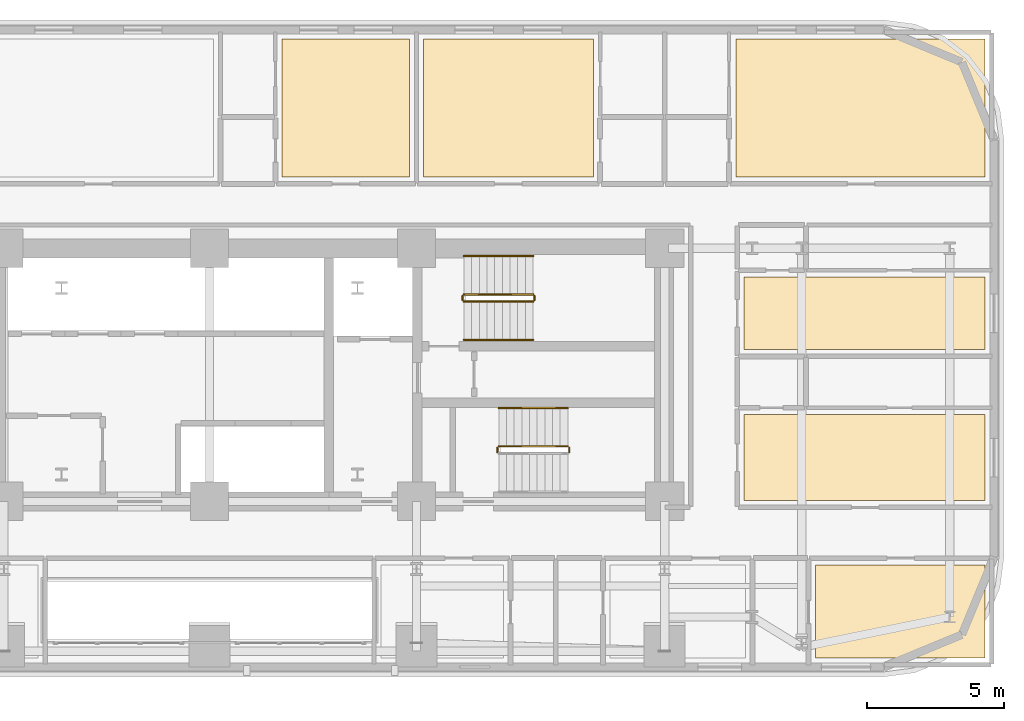
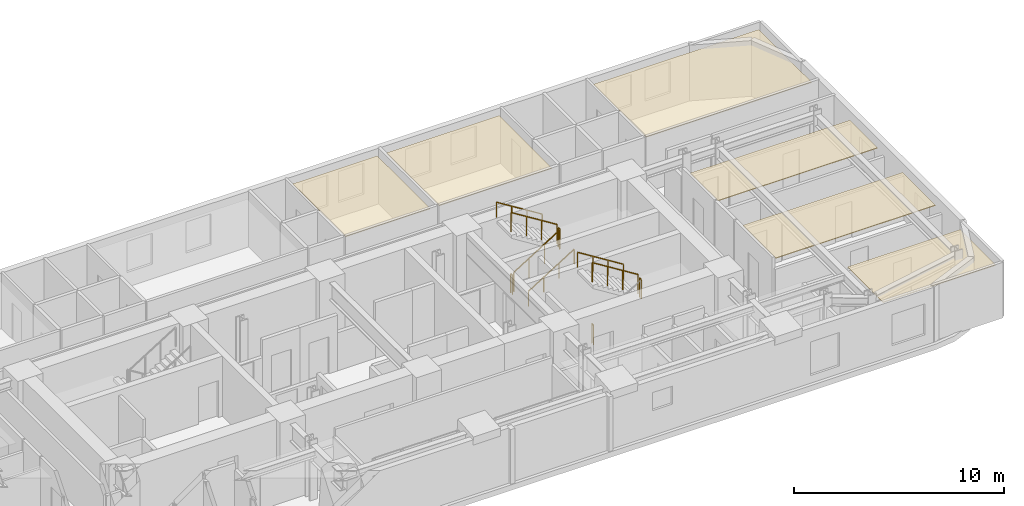
# One storey, part 16 of 16: 10 railings, 6 coverings.
"""IFC4 building model written with IfcOpenShell, lengths in metres."""

from ifc_helpers import new_model, si_unit, direction, frame, origin, origin_2d, place, context, subcontext, project, spatial, polyline, rectangle, outline, extrude, material, layer, layer_set, type_object, element, save


model = new_model("IFC4")

# Units and contexts
model_context = context("Model", 3, precision=1e-05, world=origin(), true_north=direction((0.0, 1.0)))
body_context = subcontext(model_context, "Body", "Model", "MODEL_VIEW")
ifc_project = project(units=[si_unit("LENGTHUNIT", "METRE"), si_unit("AREAUNIT", "SQUARE_METRE"), si_unit("VOLUMEUNIT", "CUBIC_METRE"), si_unit("PLANEANGLEUNIT", "RADIAN"), si_unit("MASSUNIT", "GRAM", prefix="KILO")], contexts=[model_context])

# Site, building, storey
site_placement = place(None, origin())
site = spatial("IfcSite", under=ifc_project, at=site_placement, CompositionType="ELEMENT")
building_placement = place(site_placement, origin())
building = spatial("IfcBuilding", under=site, at=building_placement, Name="Zarnavel Station Tower", CompositionType="ELEMENT")
storey_placement = place(building_placement, frame((0.0, 0.0, 39.5)))
storey = spatial("IfcBuildingStorey", under=building, at=storey_placement, Name="L10", CompositionType="ELEMENT", Elevation=39.5)

# Coverings
ifc_material_1 = material(Name="Perforated Gypsum and Mineral-Wool Acoustic Ceiling", Category="concrete")
ifc_layer = layer(ifc_material_1, 0.0400390625)
ifc_layer_set = layer_set([ifc_layer], Name="COV_CEIL_ACOUSTIC")
covering_type = type_object("IfcCoveringType", Name="COV_CEIL_ACOUSTIC", PredefinedType="CEILING", material=ifc_layer_set)
covering_1_placement = place(storey_placement, frame((0.0, 0.0, 2.919921875)))
element("IfcCovering", 1, at=covering_1_placement, inside=storey, type_object=covering_type, Name="L10 FNE1R Acoustic Ceiling", PredefinedType="CEILING", context=body_context, shape_type="SweptSolid", body=[
    extrude(outline(polyline([(48.300048828125, 27.85009765625), (57.090087890625, 27.85009765625), (57.090087890625, 30.986083984375), (48.300048828125, 30.986083984375), (48.300048828125, 27.85009765625)])), origin(), (0.0, 0.0, 1.0), 0.0400390625),
])
covering_2_placement = place(storey_placement, frame((0.0, 0.0, 2.919921875)))
element("IfcCovering", 2, at=covering_2_placement, inside=storey, type_object=covering_type, Name="L10 FNE2R Acoustic Ceiling", PredefinedType="CEILING", context=body_context, shape_type="SweptSolid", body=[
    extrude(outline(polyline([(48.300048828125, 33.35888671875), (57.090087890625, 33.35888671875), (57.090087890625, 36.0), (48.300048828125, 36.0), (48.300048828125, 33.35888671875)])), origin(), (0.0, 0.0, 1.0), 0.0400390625),
])
covering_3_placement = place(storey_placement, frame((0.0, 0.0, 2.919921875)))
element("IfcCovering", 3, at=covering_3_placement, inside=storey, type_object=covering_type, Name="L10 HN3R Acoustic Ceiling", PredefinedType="CEILING", context=body_context, shape_type="SweptSolid", body=[
    extrude(outline(polyline([(31.450927734375, 39.64990234375), (36.10009765625, 39.64990234375), (36.10009765625, 44.68994140625), (31.450927734375, 44.68994140625), (31.450927734375, 39.64990234375)])), origin(), (0.0, 0.0, 1.0), 0.0400390625),
])
covering_4_placement = place(storey_placement, frame((0.0, 0.0, 2.919921875)))
element("IfcCovering", 4, at=covering_4_placement, inside=storey, type_object=covering_type, Name="L10 HN4R Acoustic Ceiling", PredefinedType="CEILING", context=body_context, shape_type="SweptSolid", body=[
    extrude(outline(polyline([(36.60009765625, 39.64990234375), (42.800048828125, 39.64990234375), (42.800048828125, 44.68994140625), (36.60009765625, 44.68994140625), (36.60009765625, 39.64990234375)])), origin(), (0.0, 0.0, 1.0), 0.0400390625),
])
covering_5_placement = place(storey_placement, frame((0.0, 0.0, 2.919921875)))
element("IfcCovering", 5, at=covering_5_placement, inside=storey, type_object=covering_type, Name="L10 HN5R Acoustic Ceiling", PredefinedType="CEILING", context=body_context, shape_type="SweptSolid", body=[
    extrude(outline(polyline([(48.0, 39.64990234375), (57.090087890625, 39.64990234375), (57.090087890625, 44.68994140625), (48.0, 44.68994140625), (48.0, 39.64990234375)])), origin(), (0.0, 0.0, 1.0), 0.0400390625),
])
covering_6_placement = place(storey_placement, frame((0.0, 0.0, 2.919921875)))
element("IfcCovering", 6, at=covering_6_placement, inside=storey, type_object=covering_type, Name="L10 HE3R Acoustic Ceiling", PredefinedType="CEILING", context=body_context, shape_type="SweptSolid", body=[
    extrude(outline(polyline([(50.89990234375, 22.110107421875), (57.090087890625, 22.110107421875), (57.090087890625, 25.5), (50.89990234375, 25.5), (50.89990234375, 22.110107421875)])), origin(), (0.0, 0.0, 1.0), 0.0400390625),
])

# Railings
ifc_material_2 = material(Name="Painted Steel S355J2 Balustrade", Category="steel")
railing_type_1 = type_object("IfcRailingType", Name="GR_INT_1150", PredefinedType="GUARDRAIL", material=ifc_material_2)
railing_1_placement = place(storey_placement, frame((38.080078125, 35.110107421875, 0.175048828125)))
element("IfcRailing", 7, at=railing_1_placement, inside=storey, type_object=railing_type_1, Name="L10 ST2 stair guard 1", PredefinedType="GUARDRAIL", context=body_context, shape_type="SweptSolid", body=[
    extrude(rectangle(XDim=0.048095703125, YDim=0.048095703125, at=origin_2d()), frame((0.001708984375, 0.0, 1.126953125), z_axis=(0.848007534815, 0.0, 0.529984170421), x_axis=(0.0, 1.0, 0.0)), (0.0, 0.0, 1.0), 2.9677734375),
    extrude(rectangle(XDim=0.0419921875, YDim=0.0419921875, at=origin_2d()), origin(), (0.0, 0.0, 1.0), 1.101806640625),
    extrude(rectangle(XDim=0.0419921875, YDim=0.0419921875, at=origin_2d()), frame((0.840087890625, 0.0, 0.52490234375)), (0.0, 0.0, 1.0), 1.101806640625),
    extrude(rectangle(XDim=0.0419921875, YDim=0.0419921875, at=origin_2d()), frame((1.679931640625, 0.0, 1.050048828125)), (0.0, 0.0, 1.0), 1.101806640625),
    extrude(rectangle(XDim=0.0419921875, YDim=0.0419921875, at=origin_2d()), frame((2.52001953125, 0.0, 1.574951171875)), (0.0, 0.0, 1.0), 1.101806640625),
])
railing_2_placement = place(storey_placement, frame((40.64990234375, 35.159912109375, 1.75)))
element("IfcRailing", 8, at=railing_2_placement, inside=storey, type_object=railing_type_1, Name="L10 ST2 stair guard 2", PredefinedType="GUARDRAIL", context=body_context, shape_type="SweptSolid", body=[
    extrude(rectangle(XDim=0.048095703125, YDim=0.048095703125, at=origin_2d()), frame((0.0, 0.001953125, 1.1259765625), z_axis=(0.0, 1.0, 0.0), x_axis=(-1.0, 0.0, 0.0)), (0.0, 0.0, 1.0), 0.15625),
    extrude(rectangle(XDim=0.0419921875, YDim=0.0419921875, at=origin_2d()), origin(), (0.0, 0.0, 1.0), 1.101806640625),
    extrude(rectangle(XDim=0.0419921875, YDim=0.0419921875, at=origin_2d()), frame((0.0, 0.16015625, 0.0)), (0.0, 0.0, 1.0), 1.101806640625),
])
railing_3_placement = place(storey_placement, frame((40.60009765625, 35.3701171875, 1.925048828125)))
element("IfcRailing", 9, at=railing_3_placement, inside=storey, type_object=railing_type_1, Name="L10 ST2 stair guard 3", PredefinedType="GUARDRAIL", context=body_context, shape_type="SweptSolid", body=[
    extrude(rectangle(XDim=0.048095703125, YDim=0.048095703125, at=origin_2d()), frame((-0.001708984375, 0.0, 1.126953125), z_axis=(-0.848007534815, 0.0, 0.529984170421), x_axis=(0.0, -1.0, 0.0)), (0.0, 0.0, 1.0), 2.9677734375),
    extrude(rectangle(XDim=0.0419921875, YDim=0.0419921875, at=origin_2d()), origin(), (0.0, 0.0, 1.0), 1.101806640625),
    extrude(rectangle(XDim=0.0419921875, YDim=0.0419921875, at=origin_2d()), frame((-0.840087890625, 0.0, 0.52490234375)), (0.0, 0.0, 1.0), 1.101806640625),
    extrude(rectangle(XDim=0.0419921875, YDim=0.0419921875, at=origin_2d()), frame((-1.679931640625, 0.0, 1.050048828125)), (0.0, 0.0, 1.0), 1.101806640625),
    extrude(rectangle(XDim=0.0419921875, YDim=0.0419921875, at=origin_2d()), frame((-2.52001953125, 0.0, 1.574951171875)), (0.0, 0.0, 1.0), 1.101806640625),
])
railing_4_placement = place(storey_placement, frame((38.030029296875, 35.159912109375, 0.0)))
element("IfcRailing", 10, at=railing_4_placement, inside=storey, type_object=railing_type_1, Name="L10 ST2 stair guard 4", PredefinedType="GUARDRAIL", context=body_context, shape_type="SweptSolid", body=[
    extrude(rectangle(XDim=0.048095703125, YDim=0.048095703125, at=origin_2d()), frame((0.0, 0.001953125, 1.1259765625), z_axis=(0.0, 1.0, 0.0), x_axis=(-1.0, 0.0, 0.0)), (0.0, 0.0, 1.0), 0.15625),
    extrude(rectangle(XDim=0.0419921875, YDim=0.0419921875, at=origin_2d()), origin(), (0.0, 0.0, 1.0), 1.101806640625),
    extrude(rectangle(XDim=0.0419921875, YDim=0.0419921875, at=origin_2d()), frame((0.0, 0.16015625, 0.0)), (0.0, 0.0, 1.0), 1.101806640625),
])
railing_5_placement = place(storey_placement, frame((41.919921875, 29.6201171875, 1.75)))
element("IfcRailing", 11, at=railing_5_placement, inside=storey, type_object=railing_type_1, Name="L10 ST3 stair guard 2", PredefinedType="GUARDRAIL", context=body_context, shape_type="SweptSolid", body=[
    extrude(rectangle(XDim=0.048095703125, YDim=0.048095703125, at=origin_2d()), frame((0.0, 0.001953125, 1.1259765625), z_axis=(0.0, 1.0, 0.0), x_axis=(-1.0, 0.0, 0.0)), (0.0, 0.0, 1.0), 0.156005859375),
    extrude(rectangle(XDim=0.0419921875, YDim=0.0419921875, at=origin_2d()), origin(), (0.0, 0.0, 1.0), 1.101806640625),
    extrude(rectangle(XDim=0.0419921875, YDim=0.0419921875, at=origin_2d()), frame((0.0, 0.159912109375, 0.0)), (0.0, 0.0, 1.0), 1.101806640625),
])
railing_6_placement = place(storey_placement, frame((41.8701171875, 29.830078125, 1.925048828125)))
element("IfcRailing", 12, at=railing_6_placement, inside=storey, type_object=railing_type_1, Name="L10 ST3 stair guard 3", PredefinedType="GUARDRAIL", context=body_context, shape_type="SweptSolid", body=[
    extrude(rectangle(XDim=0.048095703125, YDim=0.048095703125, at=origin_2d()), frame((-0.001708984375, 0.0, 1.126953125), z_axis=(-0.848007534815, 0.0, 0.529984170421), x_axis=(0.0, -1.0, 0.0)), (0.0, 0.0, 1.0), 2.9677734375),
    extrude(rectangle(XDim=0.0419921875, YDim=0.0419921875, at=origin_2d()), origin(), (0.0, 0.0, 1.0), 1.101806640625),
    extrude(rectangle(XDim=0.0419921875, YDim=0.0419921875, at=origin_2d()), frame((-0.840087890625, 0.0, 0.52490234375)), (0.0, 0.0, 1.0), 1.101806640625),
    extrude(rectangle(XDim=0.0419921875, YDim=0.0419921875, at=origin_2d()), frame((-1.679931640625, 0.0, 1.050048828125)), (0.0, 0.0, 1.0), 1.101806640625),
    extrude(rectangle(XDim=0.0419921875, YDim=0.0419921875, at=origin_2d()), frame((-2.52001953125, 0.0, 1.574951171875)), (0.0, 0.0, 1.0), 1.101806640625),
])
railing_7_placement = place(storey_placement, frame((39.300048828125, 29.6201171875, 0.0)))
element("IfcRailing", 13, at=railing_7_placement, inside=storey, type_object=railing_type_1, Name="L10 ST3 stair guard 4", PredefinedType="GUARDRAIL", context=body_context, shape_type="SweptSolid", body=[
    extrude(rectangle(XDim=0.048095703125, YDim=0.048095703125, at=origin_2d()), frame((0.0, 0.001953125, 1.1259765625), z_axis=(0.0, 1.0, 0.0), x_axis=(-1.0, 0.0, 0.0)), (0.0, 0.0, 1.0), 0.156005859375),
    extrude(rectangle(XDim=0.0419921875, YDim=0.0419921875, at=origin_2d()), origin(), (0.0, 0.0, 1.0), 1.101806640625),
    extrude(rectangle(XDim=0.0419921875, YDim=0.0419921875, at=origin_2d()), frame((0.0, 0.159912109375, 0.0)), (0.0, 0.0, 1.0), 1.101806640625),
])
ifc_material_3 = material(Name="Brushed Stainless Steel S355J2 Handrail", Category="steel")
railing_type_2 = type_object("IfcRailingType", Name="HR_STAIR_900", PredefinedType="HANDRAIL", material=ifc_material_3)
railing_8_placement = place(storey_placement, frame((38.080078125, 33.7099609375, 0.175048828125)))
element("IfcRailing", 14, at=railing_8_placement, inside=storey, type_object=railing_type_2, Name="L10 ST2 stair handrail 1", PredefinedType="HANDRAIL", context=body_context, shape_type="SweptSolid", body=[
    extrude(rectangle(XDim=0.048095703125, YDim=0.048095703125, at=origin_2d()), frame((0.001708984375, 0.0, 0.876953125), z_axis=(0.848007534815, 0.0, 0.529984170421), x_axis=(0.0, 1.0, 0.0)), (0.0, 0.0, 1.0), 2.9677734375),
    extrude(rectangle(XDim=0.0419921875, YDim=0.0419921875, at=origin_2d()), origin(), (0.0, 0.0, 1.0), 0.851806640625),
    extrude(rectangle(XDim=0.0419921875, YDim=0.0419921875, at=origin_2d()), frame((0.840087890625, 0.0, 0.52490234375)), (0.0, 0.0, 1.0), 0.851806640625),
    extrude(rectangle(XDim=0.0419921875, YDim=0.0419921875, at=origin_2d()), frame((1.679931640625, 0.0, 1.050048828125)), (0.0, 0.0, 1.0), 0.851806640625),
    extrude(rectangle(XDim=0.0419921875, YDim=0.0419921875, at=origin_2d()), frame((2.52001953125, 0.0, 1.574951171875)), (0.0, 0.0, 1.0), 0.851806640625),
])
for number, where, name in (
    (15, (40.60009765625, 36.77001953125, 1.925048828125), "L10 ST2 stair handrail 2"),
    (16, (41.8701171875, 31.22998046875, 1.925048828125), "L10 ST3 stair handrail 2"),
):
    element("IfcRailing", number, at=place(storey_placement, frame(where)), inside=storey, type_object=railing_type_2, Name=name, PredefinedType="HANDRAIL", context=body_context, shape_type="SweptSolid", body=[
        extrude(rectangle(XDim=0.048095703125, YDim=0.048095703125, at=origin_2d()), frame((-0.001708984375, 0.0, 0.876953125), z_axis=(-0.848007534815, 0.0, 0.529984170421), x_axis=(0.0, -1.0, 0.0)), (0.0, 0.0, 1.0), 2.9677734375),
        extrude(rectangle(XDim=0.0419921875, YDim=0.0419921875, at=origin_2d()), origin(), (0.0, 0.0, 1.0), 0.851806640625),
        extrude(rectangle(XDim=0.0419921875, YDim=0.0419921875, at=origin_2d()), frame((-0.840087890625, 0.0, 0.52490234375)), (0.0, 0.0, 1.0), 0.851806640625),
        extrude(rectangle(XDim=0.0419921875, YDim=0.0419921875, at=origin_2d()), frame((-1.679931640625, 0.0, 1.050048828125)), (0.0, 0.0, 1.0), 0.851806640625),
        extrude(rectangle(XDim=0.0419921875, YDim=0.0419921875, at=origin_2d()), frame((-2.52001953125, 0.0, 1.574951171875)), (0.0, 0.0, 1.0), 0.851806640625),
    ])

save(model, "model.ifc")
